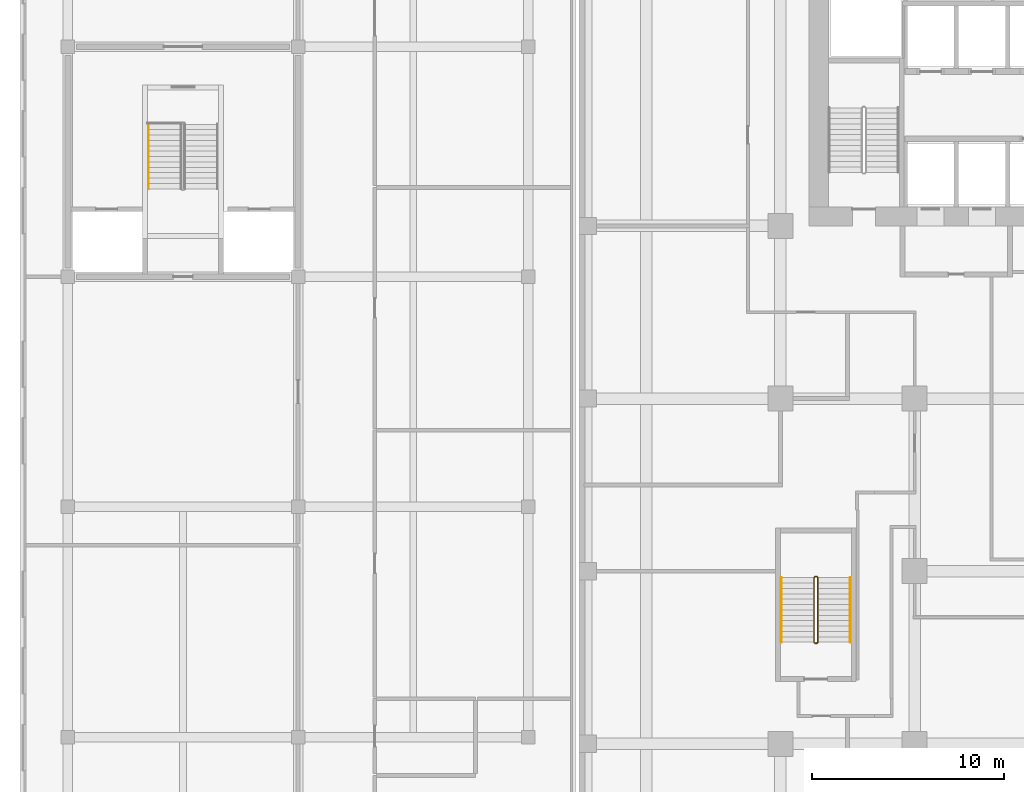
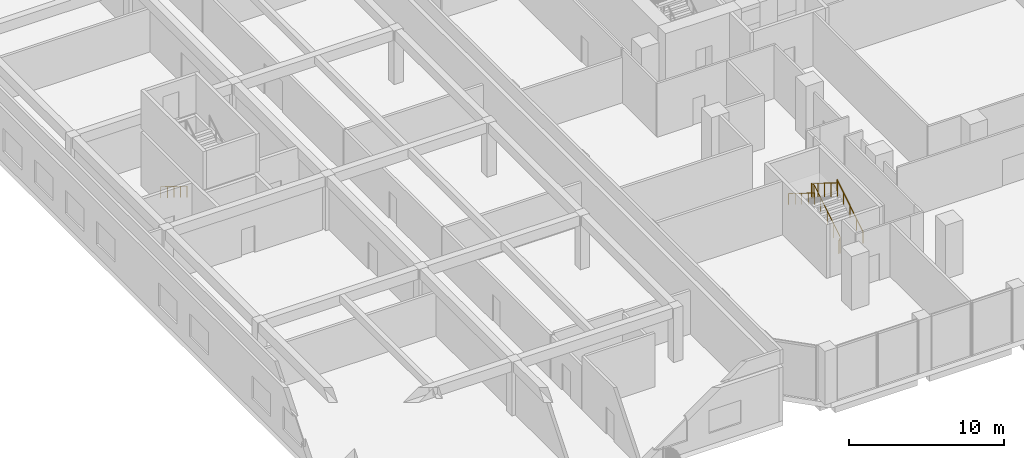
# One storey, part 28 of 35: 4 railings.
"""IFC4 building model written with IfcOpenShell, lengths in metres."""

from ifc_helpers import new_model, si_unit, direction, frame, origin, origin_2d, place, context, subcontext, project, spatial, circle, extrude, material, type_object, element, save


model = new_model("IFC4")

# Units and contexts
model_context = context("Model", 3, precision=1e-05, world=origin(), true_north=direction((0.0, 1.0)))
body_context = subcontext(model_context, "Body", "Model", "MODEL_VIEW")
ifc_project = project(units=[si_unit("LENGTHUNIT", "METRE"), si_unit("AREAUNIT", "SQUARE_METRE"), si_unit("VOLUMEUNIT", "CUBIC_METRE"), si_unit("PLANEANGLEUNIT", "RADIAN"), si_unit("MASSUNIT", "GRAM", prefix="KILO")], contexts=[model_context])

# Site, building, storey
site_placement = place(None, origin())
site = spatial("IfcSite", under=ifc_project, at=site_placement, CompositionType="ELEMENT")
building_placement = place(site_placement, origin())
building = spatial("IfcBuilding", under=site, at=building_placement, Name="Kilnfold Tower and Market Hall", CompositionType="ELEMENT")
storey_placement = place(building_placement, frame((0.0, 0.0, 22.5)))
storey = spatial("IfcBuildingStorey", under=building, at=storey_placement, Name="L04", CompositionType="ELEMENT", Elevation=22.5)

# Railings
ifc_material_1 = material(Name="Stainless steel 316", Category="steel")
railing_type_1 = type_object("IfcRailingType", Name="CORE STAIR GUARD 1100", PredefinedType="GUARDRAIL", material=ifc_material_1)
railing_1_placement = place(storey_placement, frame((-15.699951171875, -13.75, 0.0)))
element("IfcRailing", 1, at=railing_1_placement, inside=storey, type_object=railing_type_1, Name="L04 ST3 stair guard 1", PredefinedType="GUARDRAIL", context=body_context, shape_type="SweptSolid", body=[
    extrude(circle(Radius=0.02392578125, at=origin_2d()), frame((0.0, 0.0, 1.076171875), z_axis=(1.0, 0.0, 0.0), x_axis=(0.0, 1.0, 0.0)), (0.0, 0.0, 1.0), 0.099853515625),
    extrude(circle(Radius=0.02392578125, at=origin_2d()), frame((0.099853515625, 0.0, 1.076171875), z_axis=(0.267629722418, 0.267629722418, 0.925607186314), x_axis=(-0.707106781187, 0.707106781187, 0.0)), (0.0, 0.0, 1.0), 0.18701171875),
    extrude(circle(Radius=0.02392578125, at=origin_2d()), frame((0.14990234375, 0.050048828125, 1.2490234375), z_axis=(0.0, 0.850606129759, 0.525803396734), x_axis=(-1.0, 0.0, 0.0)), (0.0, 0.0, 1.0), 3.949951171875),
    extrude(circle(Radius=0.02392578125, at=origin_2d()), frame((0.14990234375, 3.409912109375, 3.326171875), z_axis=(-0.707106781187, 0.707106781187, 0.0), x_axis=(-0.707106781187, -0.707106781187, 0.0)), (0.0, 0.0, 1.0), 0.07080078125),
    extrude(circle(Radius=0.02392578125, at=origin_2d()), frame((0.099853515625, 3.4599609375, 3.326171875), z_axis=(-1.0, 0.0, 0.0), x_axis=(0.0, -1.0, 0.0)), (0.0, 0.0, 1.0), 0.099853515625),
    extrude(circle(Radius=0.02392578125, at=origin_2d()), frame((0.0, 3.4599609375, 3.326171875), z_axis=(-0.267629722418, -0.267629722418, 0.925607186314), x_axis=(0.707106781187, -0.707106781187, 0.0)), (0.0, 0.0, 1.0), 0.18701171875),
    extrude(circle(Radius=0.02392578125, at=origin_2d()), frame((-0.050048828125, 3.409912109375, 3.4990234375), z_axis=(0.0, -0.850606129759, 0.525803396734), x_axis=(1.0, 0.0, 0.0)), (0.0, 0.0, 1.0), 3.949951171875),
    extrude(circle(Radius=0.02099609375, at=origin_2d()), origin(), (0.0, 0.0, 1.0), 1.052001953125),
    extrude(circle(Radius=0.02099609375, at=origin_2d()), frame((0.099853515625, 0.0, 0.0)), (0.0, 0.0, 1.0), 1.052001953125),
    extrude(circle(Radius=0.02099609375, at=origin_2d()), frame((0.14990234375, 0.050048828125, 0.173095703125)), (0.0, 0.0, 1.0), 1.052001953125),
    extrude(circle(Radius=0.02099609375, at=origin_2d()), frame((0.14990234375, 0.89013671875, 0.6923828125)), (0.0, 0.0, 1.0), 1.052001953125),
    extrude(circle(Radius=0.02099609375, at=origin_2d()), frame((0.14990234375, 1.72998046875, 1.21142578125)), (0.0, 0.0, 1.0), 1.052001953125),
    extrude(circle(Radius=0.02099609375, at=origin_2d()), frame((0.14990234375, 2.56982421875, 1.730712890625)), (0.0, 0.0, 1.0), 1.052001953125),
    extrude(circle(Radius=0.02099609375, at=origin_2d()), frame((0.14990234375, 3.409912109375, 2.25)), (0.0, 0.0, 1.0), 1.052001953125),
    extrude(circle(Radius=0.02099609375, at=origin_2d()), frame((0.099853515625, 3.4599609375, 2.25)), (0.0, 0.0, 1.0), 1.052001953125),
    extrude(circle(Radius=0.02099609375, at=origin_2d()), frame((0.0, 3.4599609375, 2.25)), (0.0, 0.0, 1.0), 1.052001953125),
    extrude(circle(Radius=0.02099609375, at=origin_2d()), frame((-0.050048828125, 3.409912109375, 2.423095703125)), (0.0, 0.0, 1.0), 1.052001953125),
    extrude(circle(Radius=0.02099609375, at=origin_2d()), frame((-0.050048828125, 2.56982421875, 2.9423828125)), (0.0, 0.0, 1.0), 1.052001953125),
    extrude(circle(Radius=0.02099609375, at=origin_2d()), frame((-0.050048828125, 1.72998046875, 3.46142578125)), (0.0, 0.0, 1.0), 1.052001953125),
    extrude(circle(Radius=0.02099609375, at=origin_2d()), frame((-0.050048828125, 0.89013671875, 3.980712890625)), (0.0, 0.0, 1.0), 1.052001953125),
    extrude(circle(Radius=0.02099609375, at=origin_2d()), frame((-0.050048828125, 0.050048828125, 4.5)), (0.0, 0.0, 1.0), 1.052001953125),
])
ifc_material_2 = material(Name="Stainless steel 316", Category="steel")
railing_type_2 = type_object("IfcRailingType", Name="CORE STAIR HANDRAIL 900", PredefinedType="HANDRAIL", material=ifc_material_2)
railing_2_placement = place(storey_placement, frame((-13.85009765625, -13.699951171875, 0.173095703125)))
element("IfcRailing", 2, at=railing_2_placement, inside=storey, type_object=railing_type_2, Name="L04 ST3 stair handrail 1", PredefinedType="HANDRAIL", context=body_context, shape_type="SweptSolid", body=[
    extrude(circle(Radius=0.02392578125, at=origin_2d()), frame((0.0, 0.0, 0.8759765625), z_axis=(0.0, 0.850606129759, 0.525803396734), x_axis=(-1.0, 0.0, 0.0)), (0.0, 0.0, 1.0), 3.949951171875),
    extrude(circle(Radius=0.02099609375, at=origin_2d()), origin(), (0.0, 0.0, 1.0), 0.851806640625),
    extrude(circle(Radius=0.02099609375, at=origin_2d()), frame((0.0, 0.83984375, 0.519287109375)), (0.0, 0.0, 1.0), 0.851806640625),
    extrude(circle(Radius=0.02099609375, at=origin_2d()), frame((0.0, 1.679931640625, 1.03857421875)), (0.0, 0.0, 1.0), 0.851806640625),
    extrude(circle(Radius=0.02099609375, at=origin_2d()), frame((0.0, 2.52001953125, 1.5576171875)), (0.0, 0.0, 1.0), 0.851806640625),
    extrude(circle(Radius=0.02099609375, at=origin_2d()), frame((0.0, 3.35986328125, 2.076904296875)), (0.0, 0.0, 1.0), 0.851806640625),
])
railing_3_placement = place(storey_placement, frame((-17.449951171875, -10.340087890625, 2.423095703125)))
element("IfcRailing", 3, at=railing_3_placement, inside=storey, type_object=railing_type_2, Name="L04 ST3 stair handrail 2", PredefinedType="HANDRAIL", context=body_context, shape_type="SweptSolid", body=[
    extrude(circle(Radius=0.02392578125, at=origin_2d()), frame((0.0, 0.0, 0.8759765625), z_axis=(0.0, -0.850606129759, 0.525803396734), x_axis=(1.0, 0.0, 0.0)), (0.0, 0.0, 1.0), 3.949951171875),
    extrude(circle(Radius=0.02099609375, at=origin_2d()), origin(), (0.0, 0.0, 1.0), 0.851806640625),
    extrude(circle(Radius=0.02099609375, at=origin_2d()), frame((0.0, -0.83984375, 0.519287109375)), (0.0, 0.0, 1.0), 0.851806640625),
    extrude(circle(Radius=0.02099609375, at=origin_2d()), frame((0.0, -1.679931640625, 1.03857421875)), (0.0, 0.0, 1.0), 0.851806640625),
    extrude(circle(Radius=0.02099609375, at=origin_2d()), frame((0.0, -2.52001953125, 1.5576171875)), (0.0, 0.0, 1.0), 0.851806640625),
    extrude(circle(Radius=0.02099609375, at=origin_2d()), frame((0.0, -3.35986328125, 2.076904296875)), (0.0, 0.0, 1.0), 0.851806640625),
])
ifc_material_3 = material(Name="Steel S355", Category="steel")
railing_type_3 = type_object("IfcRailingType", Name="HALL STAIR HANDRAIL", PredefinedType="HANDRAIL", material=ifc_material_3)
railing_4_placement = place(storey_placement, frame((-50.449951171875, 13.300048828125, 0.173095703125)))
element("IfcRailing", 4, at=railing_4_placement, inside=storey, type_object=railing_type_3, Name="L04 MS2 stair handrail 1", PredefinedType="HANDRAIL", context=body_context, shape_type="SweptSolid", body=[
    extrude(circle(Radius=0.02392578125, at=origin_2d()), frame((0.0, 0.0, 0.8759765625), z_axis=(0.0, -0.850623216509, 0.525775754039), x_axis=(1.0, 0.0, 0.0)), (0.0, 0.0, 1.0), 3.9501953125),
    extrude(circle(Radius=0.02099609375, at=origin_2d()), origin(), (0.0, 0.0, 1.0), 0.851806640625),
    extrude(circle(Radius=0.02099609375, at=origin_2d()), frame((0.0, -0.840087890625, 0.519287109375)), (0.0, 0.0, 1.0), 0.851806640625),
    extrude(circle(Radius=0.02099609375, at=origin_2d()), frame((0.0, -1.68017578125, 1.03857421875)), (0.0, 0.0, 1.0), 0.851806640625),
    extrude(circle(Radius=0.02099609375, at=origin_2d()), frame((0.0, -2.52001953125, 1.5576171875)), (0.0, 0.0, 1.0), 0.851806640625),
    extrude(circle(Radius=0.02099609375, at=origin_2d()), frame((0.0, -3.360107421875, 2.076904296875)), (0.0, 0.0, 1.0), 0.851806640625),
])

save(model, "model.ifc")
